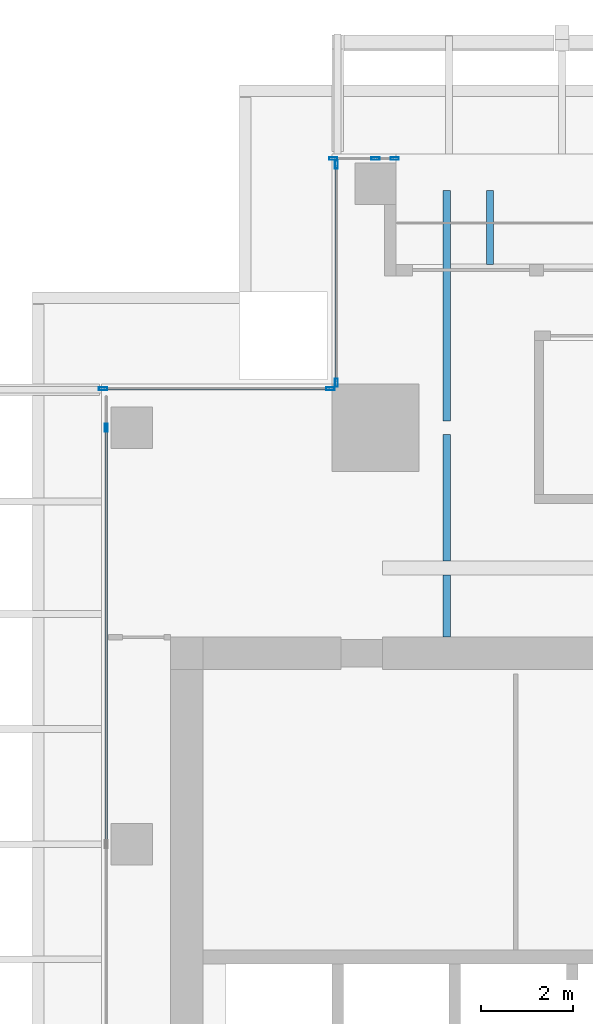
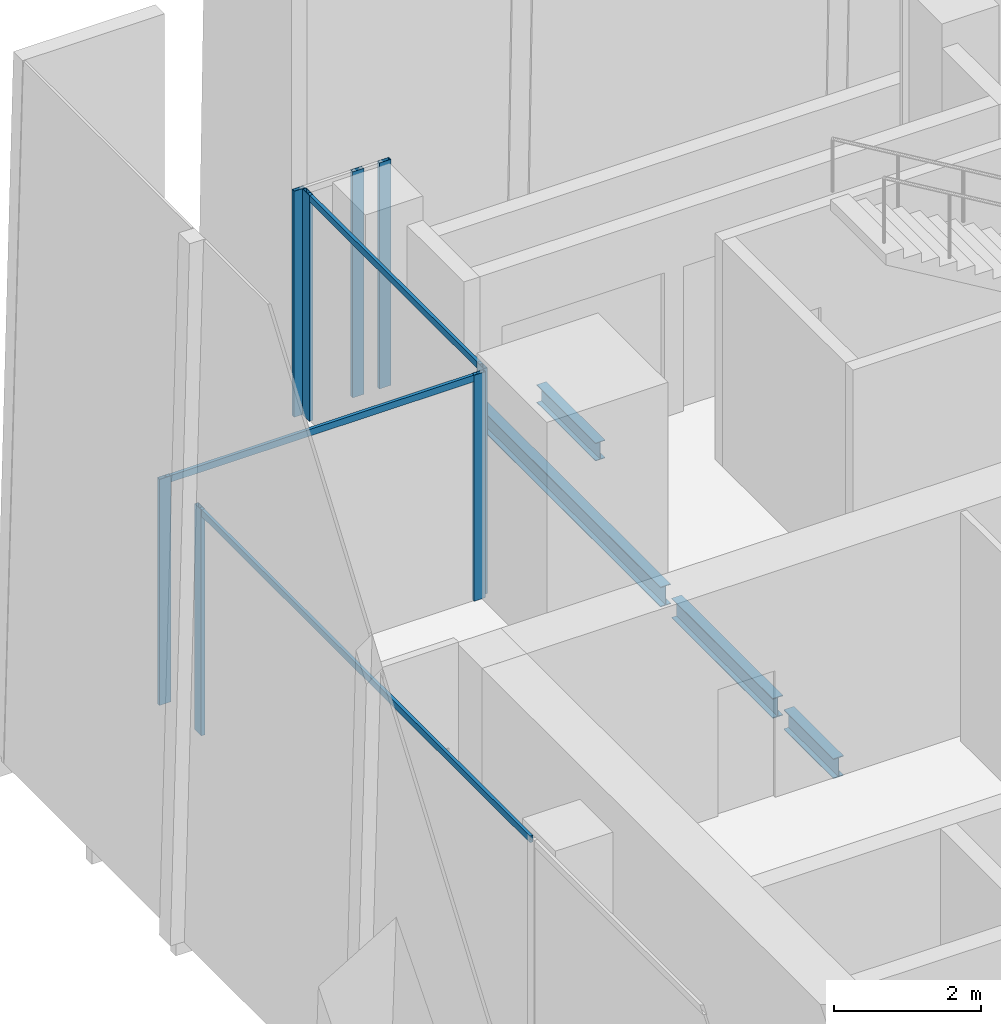
# One storey, part 14 of 33: 11 members, 4 beams, 4 elements without a shape of their own.
"""IFC4 building model written with IfcOpenShell, lengths in metres."""

from ifc_helpers import new_model, si_unit, direction, frame, origin, origin_2d, place, context, subcontext, project, spatial, hollow_rectangle, i_section, extrude, source, transform, mapped, material, material_profile, profile_set, type_object, element, aggregate, save


model = new_model("IFC4")

# Units and contexts
model_context = context("Model", 3, precision=1e-05, world=origin(), true_north=direction((0.0, 1.0)))
body_context = subcontext(model_context, "Body", "Model", "MODEL_VIEW")
ifc_project = project(units=[si_unit("LENGTHUNIT", "METRE"), si_unit("AREAUNIT", "SQUARE_METRE"), si_unit("VOLUMEUNIT", "CUBIC_METRE"), si_unit("PLANEANGLEUNIT", "RADIAN"), si_unit("MASSUNIT", "GRAM", prefix="KILO")], contexts=[model_context])

# Site, building, storey
site_placement = place(None, origin())
site = spatial("IfcSite", under=ifc_project, at=site_placement, CompositionType="ELEMENT")
building_placement = place(site_placement, origin())
building = spatial("IfcBuilding", under=site, at=building_placement, Name="Khomas Fold Tower", CompositionType="ELEMENT")
storey_placement = place(building_placement, frame((0.0, 0.0, 222.199951171875)))
storey = spatial("IfcBuildingStorey", under=building, at=storey_placement, Name="L49", CompositionType="ELEMENT", Elevation=222.199951171875)

# Beams
ifc_material_1 = material(Name="Steel S355", Category="steel")
ifc_material_profile_1 = material_profile(ifc_material_1, i_section(OverallWidth=0.159912109375, OverallDepth=0.330078125, WebThickness=0.007568359375, FlangeThickness=0.011474609375, at=origin_2d()), Name="IPE 330")
ifc_profile_set_1 = profile_set([ifc_material_profile_1], Name="Steel S355")
beam_type_1 = type_object("IfcBeamType", Name="IPE 330 beam JB1", PredefinedType="BEAM", material=ifc_profile_set_1)
shared_shape_1 = source(origin(), body_context, "Body", "SweptSolid", [
    extrude(i_section(OverallWidth=0.159912109375, OverallDepth=0.330078125, WebThickness=0.007568359375, FlangeThickness=0.011474609375, at=origin_2d()), origin(), (0.0, 0.0, 1.0), 1.35009765625),
])
beam_1_placement = place(storey_placement, frame((12.0, 39.0, -0.4150390625), z_axis=(0.0, 1.0, 0.0), x_axis=(-1.0, 0.0, 0.0)))
element("IfcBeam", 1, at=beam_1_placement, inside=storey, type_object=beam_type_1, Name="JB1", PredefinedType="BEAM", context=body_context, shape_type="MappedRepresentation", body=[
    mapped(shared_shape_1, transform((0.0, 0.0, 0.0))),
])
shared_shape_2 = source(origin(), body_context, "Body", "SweptSolid", [
    extrude(i_section(OverallWidth=0.159912109375, OverallDepth=0.330078125, WebThickness=0.007568359375, FlangeThickness=0.011474609375, at=origin_2d()), origin(), (0.0, 0.0, 1.0), 5.0),
])
beam_2_placement = place(storey_placement, frame((12.0, 43.699951171875, -0.4150390625), z_axis=(0.0, 1.0, 0.0), x_axis=(-1.0, 0.0, 0.0)))
element("IfcBeam", 2, at=beam_2_placement, inside=storey, type_object=beam_type_1, Name="JB1", PredefinedType="BEAM", context=body_context, shape_type="MappedRepresentation", body=[
    mapped(shared_shape_2, transform((0.0, 0.0, 0.0))),
])
shared_shape_3 = source(origin(), body_context, "Body", "SweptSolid", [
    extrude(i_section(OverallWidth=0.159912109375, OverallDepth=0.330078125, WebThickness=0.007568359375, FlangeThickness=0.011474609375, at=origin_2d()), origin(), (0.0, 0.0, 1.0), 2.75),
])
beam_3_placement = place(storey_placement, frame((12.0, 40.64990234375, -0.4150390625), z_axis=(0.0, 1.0, 0.0), x_axis=(-1.0, 0.0, 0.0)))
element("IfcBeam", 3, at=beam_3_placement, inside=storey, type_object=beam_type_1, Name="JB1", PredefinedType="BEAM", context=body_context, shape_type="MappedRepresentation", body=[
    mapped(shared_shape_3, transform((0.0, 0.0, 0.0))),
])
ifc_material_2 = material(Name="Steel S355", Category="steel")
ifc_material_profile_2 = material_profile(ifc_material_2, i_section(OverallWidth=0.14990234375, OverallDepth=0.300048828125, WebThickness=0.007080078125, FlangeThickness=0.0107421875, at=origin_2d()), Name="IPE 300")
ifc_profile_set_2 = profile_set([ifc_material_profile_2], Name="Steel S355")
beam_type_2 = type_object("IfcBeamType", Name="IPE 300 beam BB2", PredefinedType="BEAM", material=ifc_profile_set_2)
shared_shape_4 = source(origin(), body_context, "Body", "SweptSolid", [
    extrude(i_section(OverallWidth=0.14990234375, OverallDepth=0.300048828125, WebThickness=0.007080078125, FlangeThickness=0.0107421875, at=origin_2d()), origin(), (0.0, 0.0, 1.0), 1.599853515625),
])
beam_4_placement = place(storey_placement, frame((12.9375, 47.10009765625, -0.39990234375), z_axis=(0.0, 1.0, 0.0), x_axis=(-1.0, 0.0, 0.0)))
element("IfcBeam", 4, at=beam_4_placement, inside=storey, type_object=beam_type_2, Name="BB2", PredefinedType="BEAM", context=body_context, shape_type="MappedRepresentation", body=[
    mapped(shared_shape_4, transform((0.0, 0.0, 0.0))),
])

# Curtain wall, members
ifc_material_3 = material(Name="Aluminium framed double glazing", Category="aluminium")
curtain_wall_type = type_object("IfcCurtainWallType", Name="SK-Unitised clear-glass wall, office floors CW2", PredefinedType="NOTDEFINED", material=ifc_material_3)
curtain_wall_1_placement = place(storey_placement, origin())
curtain_wall_1 = element("IfcCurtainWall", 5, at=curtain_wall_1_placement, inside=storey, type_object=curtain_wall_type, Name="CW2 run L49 06-1", PredefinedType="NOTDEFINED")
ifc_material_4 = material(Name="Aluminium", Category="aluminium")
ifc_material_profile_3 = material_profile(ifc_material_4, hollow_rectangle(XDim=0.06005859375, YDim=0.179931640625, WallThickness=0.00390625, at=origin_2d()), Name="SK-Unitised clear-glass wall, office floors mullion CW2-M")
ifc_profile_set_3 = profile_set([ifc_material_profile_3], Name="Aluminium")
member_type_1 = type_object("IfcMemberType", Name="SK-Unitised clear-glass wall, office floors mullion CW2-M", PredefinedType="MULLION", material=ifc_profile_set_3)
shared_shape_5 = source(origin(), body_context, "Body", "SweptSolid", [
    extrude(hollow_rectangle(XDim=0.06005859375, YDim=0.179931640625, WallThickness=0.00390625, at=origin_2d()), origin(), (0.0, 0.0, 1.0), 3.75),
])
member_1_placement = place(storey_placement, frame((10.8701171875, 49.39990234375, 0.0), z_axis=(0.0, 0.0, 1.0), x_axis=(0.0, -1.0, 0.0)))
member_1 = element("IfcMember", 6, at=member_1_placement, type_object=member_type_1, Name="CW2 mullion 1", PredefinedType="MULLION", context=body_context, shape_type="MappedRepresentation", body=[
    mapped(shared_shape_5, transform((0.0, 0.0, 0.0))),
])
member_2_placement = place(storey_placement, frame((10.449951171875, 49.39990234375, 0.0), z_axis=(0.0, 0.0, 1.0), x_axis=(0.0, -1.0, 0.0)))
member_2 = element("IfcMember", 7, at=member_2_placement, type_object=member_type_1, Name="CW2 mullion 2", PredefinedType="MULLION", context=body_context, shape_type="MappedRepresentation", body=[
    mapped(shared_shape_5, transform((0.0, 0.0, 0.0))),
])
member_3_placement = place(storey_placement, frame((9.530029296875, 49.39990234375, 0.0), z_axis=(0.0, 0.0, 1.0), x_axis=(0.0, -1.0, 0.0)))
member_3 = element("IfcMember", 8, at=member_3_placement, type_object=member_type_1, Name="CW2 mullion 3", PredefinedType="MULLION", context=body_context, shape_type="MappedRepresentation", body=[
    mapped(shared_shape_5, transform((0.0, 0.0, 0.0))),
])
aggregate(curtain_wall_1, [member_1, member_2, member_3])

curtain_wall_2_placement = place(storey_placement, origin())
curtain_wall_2 = element("IfcCurtainWall", 9, at=curtain_wall_2_placement, inside=storey, type_object=curtain_wall_type, Name="CW2 corner return L49 07", PredefinedType="NOTDEFINED")
member_4_placement = place(storey_placement, frame((9.60009765625, 49.27001953125, 0.0), z_axis=(0.0, 0.0, 1.0), x_axis=(1.0, 0.0, 0.0)))
member_4 = element("IfcMember", 10, at=member_4_placement, type_object=member_type_1, Name="CW2 mullion 1", PredefinedType="MULLION", context=body_context, shape_type="MappedRepresentation", body=[
    mapped(shared_shape_5, transform((0.0, 0.0, 0.0))),
])
member_5_placement = place(storey_placement, frame((9.60009765625, 44.530029296875, 0.0), z_axis=(0.0, 0.0, 1.0), x_axis=(1.0, 0.0, 0.0)))
member_5 = element("IfcMember", 11, at=member_5_placement, type_object=member_type_1, Name="CW2 mullion 2", PredefinedType="MULLION", context=body_context, shape_type="MappedRepresentation", body=[
    mapped(shared_shape_5, transform((0.0, 0.0, 0.0))),
])

curtain_wall_3_placement = place(storey_placement, origin())
curtain_wall_3 = element("IfcCurtainWall", 12, at=curtain_wall_3_placement, inside=storey, type_object=curtain_wall_type, Name="CW2 corner return L49 08", PredefinedType="NOTDEFINED")
member_6_placement = place(storey_placement, frame((9.469970703125, 44.39990234375, 0.0), z_axis=(0.0, 0.0, 1.0), x_axis=(0.0, -1.0, 0.0)))
member_6 = element("IfcMember", 13, at=member_6_placement, type_object=member_type_1, Name="CW2 mullion 1", PredefinedType="MULLION", context=body_context, shape_type="MappedRepresentation", body=[
    mapped(shared_shape_5, transform((0.0, 0.0, 0.0))),
])
member_7_placement = place(storey_placement, frame((4.530029296875, 44.39990234375, 0.0), z_axis=(0.0, 0.0, 1.0), x_axis=(0.0, -1.0, 0.0)))
member_7 = element("IfcMember", 14, at=member_7_placement, type_object=member_type_1, Name="CW2 mullion 2", PredefinedType="MULLION", context=body_context, shape_type="MappedRepresentation", body=[
    mapped(shared_shape_5, transform((0.0, 0.0, 0.0))),
])

curtain_wall_4_placement = place(storey_placement, origin())
curtain_wall_4 = element("IfcCurtainWall", 15, at=curtain_wall_4_placement, inside=storey, type_object=curtain_wall_type, Name="CW2 run L49 09-0", PredefinedType="NOTDEFINED")
member_8_placement = place(storey_placement, frame((4.60009765625, 43.550048828125, 0.0), z_axis=(0.0, 0.0, 1.0), x_axis=(1.0, 0.0, 0.0)))
member_8 = element("IfcMember", 16, at=member_8_placement, type_object=member_type_1, Name="CW2 mullion 2", PredefinedType="MULLION", context=body_context, shape_type="MappedRepresentation", body=[
    mapped(shared_shape_5, transform((0.0, 0.0, 0.0))),
])
ifc_material_5 = material(Name="Aluminium", Category="aluminium")
ifc_material_profile_4 = material_profile(ifc_material_5, hollow_rectangle(XDim=0.050048828125, YDim=0.110107421875, WallThickness=0.00390625, at=origin_2d()), Name="SK-Unitised clear-glass wall, office floors transom CW2-T")
ifc_profile_set_4 = profile_set([ifc_material_profile_4], Name="Aluminium")
member_type_2 = type_object("IfcMemberType", Name="SK-Unitised clear-glass wall, office floors transom CW2-T", PredefinedType="USERDEFINED", material=ifc_profile_set_4)
shared_shape_6 = source(origin(), body_context, "Body", "SweptSolid", [
    extrude(hollow_rectangle(XDim=0.050048828125, YDim=0.110107421875, WallThickness=0.00390625, at=origin_2d()), origin(), (0.0, 0.0, 1.0), 8.989990234375),
])
member_9_placement = place(storey_placement, frame((4.60009765625, 43.52001953125, 3.695068359375), z_axis=(0.0, -1.0, 0.0), x_axis=(1.0, 0.0, 0.0)))
member_9 = element("IfcMember", 17, at=member_9_placement, type_object=member_type_2, Name="CW2 transom 2", ObjectType="TRANSOM", PredefinedType="USERDEFINED", context=body_context, shape_type="MappedRepresentation", body=[
    mapped(shared_shape_6, transform((0.0, 0.0, 0.0))),
])
aggregate(curtain_wall_4, [member_8, member_9])

# Member
shared_shape_7 = source(origin(), body_context, "Body", "SweptSolid", [
    extrude(hollow_rectangle(XDim=0.050048828125, YDim=0.110107421875, WallThickness=0.00390625, at=origin_2d()), origin(), (0.0, 0.0, 1.0), 4.679931640625),
])
member_10_placement = place(storey_placement, frame((9.60009765625, 49.239990234375, 3.695068359375), z_axis=(0.0, -1.0, 0.0), x_axis=(1.0, 0.0, 0.0)))
member_10 = element("IfcMember", 18, at=member_10_placement, type_object=member_type_2, Name="CW2 transom 1", ObjectType="TRANSOM", PredefinedType="USERDEFINED", context=body_context, shape_type="MappedRepresentation", body=[
    mapped(shared_shape_7, transform((0.0, 0.0, 0.0))),
])

aggregate(curtain_wall_2, [member_4, member_5, member_10])

shared_shape_8 = source(origin(), body_context, "Body", "SweptSolid", [
    extrude(hollow_rectangle(XDim=0.050048828125, YDim=0.110107421875, WallThickness=0.00390625, at=origin_2d()), origin(), (0.0, 0.0, 1.0), 4.8798828125),
])
member_11_placement = place(storey_placement, frame((9.43994140625, 44.39990234375, 3.695068359375), z_axis=(-1.0, 0.0, 0.0), x_axis=(0.0, -1.0, 0.0)))
member_11 = element("IfcMember", 19, at=member_11_placement, type_object=member_type_2, Name="CW2 transom 1", ObjectType="TRANSOM", PredefinedType="USERDEFINED", context=body_context, shape_type="MappedRepresentation", body=[
    mapped(shared_shape_8, transform((0.0, 0.0, 0.0))),
])

aggregate(curtain_wall_3, [member_6, member_7, member_11])

save(model, "model.ifc")
